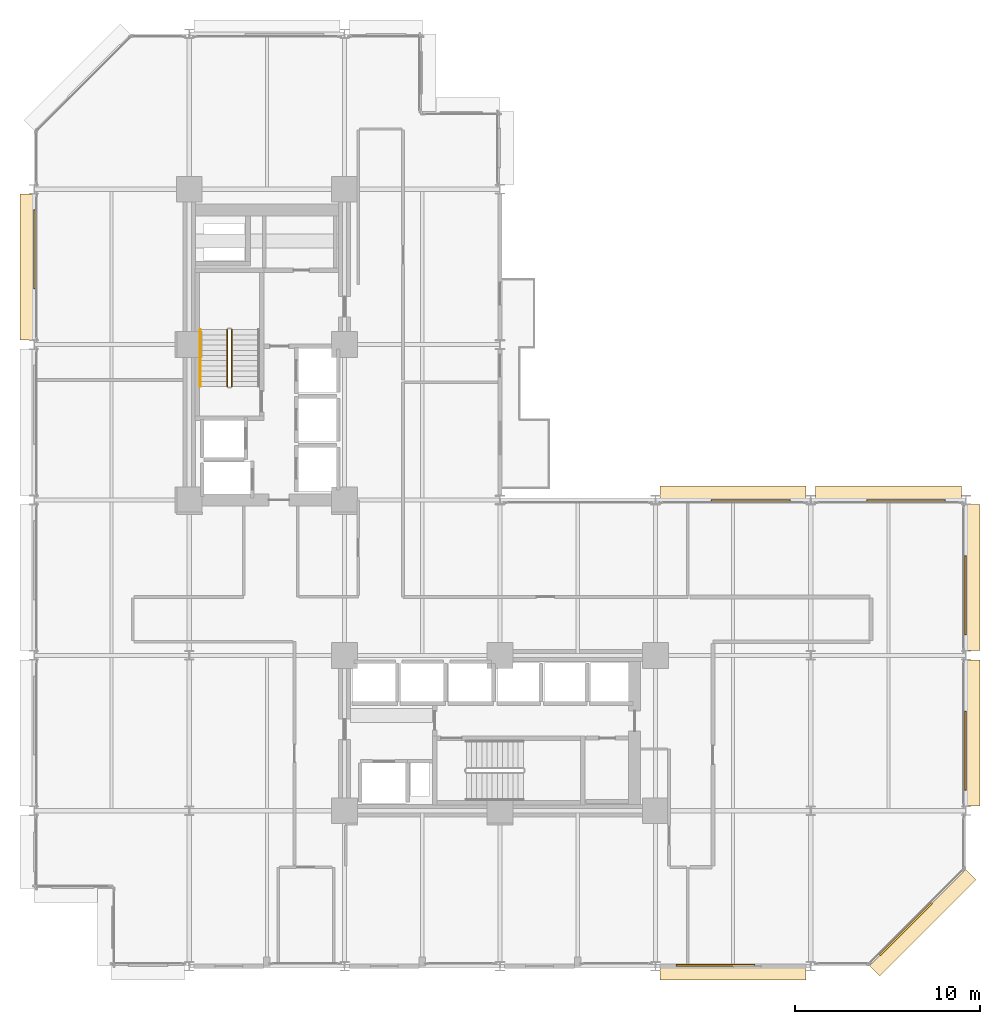
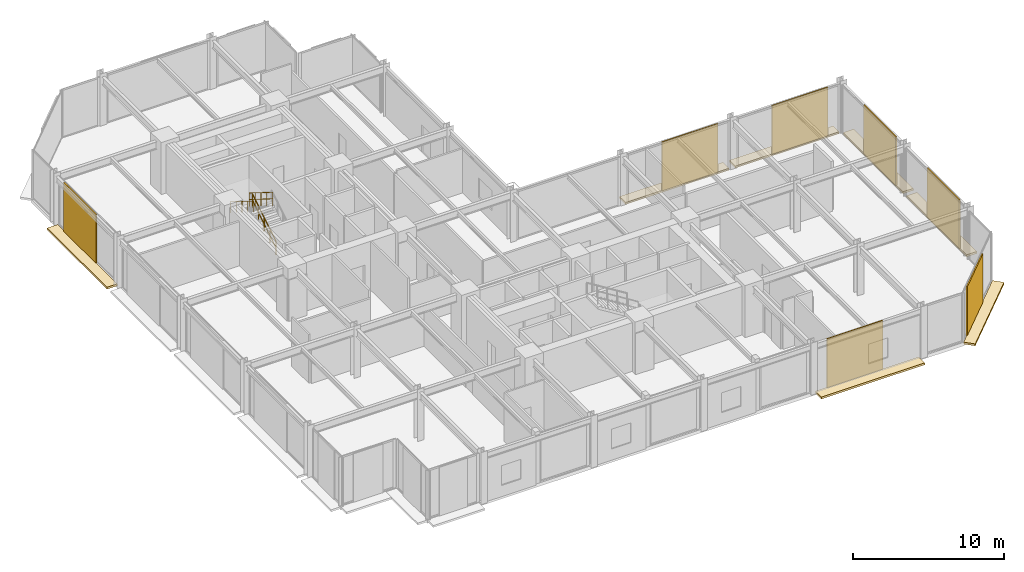
# One storey, part 24 of 25: 14 coverings, 3 railings.
"""IFC4 building model written with IfcOpenShell, lengths in metres."""

from ifc_helpers import new_model, si_unit, direction, frame, origin, origin_2d, place, context, subcontext, project, spatial, polyline, rectangle, circle, outline, extrude, material, layer, layer_set, type_object, element, save


model = new_model("IFC4")

# Units and contexts
model_context = context("Model", 3, precision=1e-05, world=origin(), true_north=direction((0.0, 1.0)))
body_context = subcontext(model_context, "Body", "Model", "MODEL_VIEW")
ifc_project = project(units=[si_unit("LENGTHUNIT", "METRE"), si_unit("AREAUNIT", "SQUARE_METRE"), si_unit("VOLUMEUNIT", "CUBIC_METRE"), si_unit("PLANEANGLEUNIT", "RADIAN"), si_unit("MASSUNIT", "GRAM", prefix="KILO")], contexts=[model_context])

# Site, building, storey
site_placement = place(None, origin())
site = spatial("IfcSite", under=ifc_project, at=site_placement, CompositionType="ELEMENT")
building_placement = place(site_placement, origin())
building = spatial("IfcBuilding", under=site, at=building_placement, Name="Nerrivon Quay Data Exchange", CompositionType="ELEMENT")
storey_placement = place(building_placement, frame((0.0, 0.0, 24.800048828125)))
storey = spatial("IfcBuildingStorey", under=building, at=storey_placement, Name="L05", CompositionType="ELEMENT", Elevation=24.800048828125)

# Coverings
ifc_material_1 = material(Name="Architectural terracotta ceramic", Category="masonry")
ifc_layer_1 = layer(ifc_material_1, 0.159912109375)
ifc_layer_set_1 = layer_set([ifc_layer_1], Name="Architectural terracotta ceramic")
covering_type_1 = type_object("IfcCoveringType", Name="COV-BLD-TERR", PredefinedType="CLADDING", material=ifc_layer_set_1)
covering_1_placement = place(storey_placement, frame((0.0, 0.0, -0.16015625)))
element("IfcCovering", 1, at=covering_1_placement, inside=storey, type_object=covering_type_1, Name="L05 Horizontal Terracotta SOLAR SCREEN Blade", PredefinedType="CLADDING", context=body_context, shape_type="SweptSolid", body=[
    extrude(outline(polyline([(50.37158203125, 5.228271484375), (45.171630859375, 0.0283203125), (45.730224609375, -0.5302734375), (50.930419921875, 4.669677734375), (50.37158203125, 5.228271484375)])), origin(), (0.0, 0.0, 1.0), 0.16015625),
])
covering_2_placement = place(storey_placement, frame((0.0, 0.0, -0.16015625)))
element("IfcCovering", 2, at=covering_2_placement, inside=storey, type_object=covering_type_1, Name="L05 Horizontal Terracotta SOLAR SCREEN Blade", PredefinedType="CLADDING", context=body_context, shape_type="SweptSolid", body=[
    extrude(outline(polyline([(41.75, 0.0400390625), (33.85009765625, 0.0400390625), (33.85009765625, -0.75), (41.75, -0.75), (41.75, 0.0400390625)])), origin(), (0.0, 0.0, 1.0), 0.16015625),
])
covering_3_placement = place(storey_placement, frame((0.0, 0.0, -0.16015625)))
element("IfcCovering", 3, at=covering_3_placement, inside=storey, type_object=covering_type_1, Name="L05 Horizontal Terracotta SOLAR SCREEN Blade", PredefinedType="CLADDING", context=body_context, shape_type="SweptSolid", body=[
    extrude(outline(polyline([(0.0400390625, 33.85009765625), (0.0400390625, 41.75), (-0.75, 41.75), (-0.75, 33.85009765625), (0.0400390625, 33.85009765625)])), origin(), (0.0, 0.0, 1.0), 0.16015625),
])
covering_4_placement = place(storey_placement, frame((0.0, 0.0, -0.16015625)))
element("IfcCovering", 4, at=covering_4_placement, inside=storey, type_object=covering_type_1, Name="L05 Horizontal Terracotta SOLAR SCREEN Blade", PredefinedType="CLADDING", context=body_context, shape_type="SweptSolid", body=[
    extrude(outline(polyline([(33.85009765625, 25.159912109375), (41.75, 25.159912109375), (41.75, 25.949951171875), (33.85009765625, 25.949951171875), (33.85009765625, 25.159912109375)])), origin(), (0.0, 0.0, 1.0), 0.16015625),
])
covering_5_placement = place(storey_placement, frame((0.0, 0.0, -0.16015625)))
element("IfcCovering", 5, at=covering_5_placement, inside=storey, type_object=covering_type_1, Name="L05 Horizontal Terracotta SOLAR SCREEN Blade", PredefinedType="CLADDING", context=body_context, shape_type="SweptSolid", body=[
    extrude(outline(polyline([(42.25, 25.159912109375), (50.14990234375, 25.159912109375), (50.14990234375, 25.949951171875), (42.25, 25.949951171875), (42.25, 25.159912109375)])), origin(), (0.0, 0.0, 1.0), 0.16015625),
])
covering_6_placement = place(storey_placement, frame((0.0, 0.0, -0.16015625)))
element("IfcCovering", 6, at=covering_6_placement, inside=storey, type_object=covering_type_1, Name="L05 Horizontal Terracotta SOLAR SCREEN Blade", PredefinedType="CLADDING", context=body_context, shape_type="SweptSolid", body=[
    extrude(outline(polyline([(50.360107421875, 24.949951171875), (50.360107421875, 17.050048828125), (51.14990234375, 17.050048828125), (51.14990234375, 24.949951171875), (50.360107421875, 24.949951171875)])), origin(), (0.0, 0.0, 1.0), 0.16015625),
])
covering_7_placement = place(storey_placement, frame((0.0, 0.0, -0.16015625)))
element("IfcCovering", 7, at=covering_7_placement, inside=storey, type_object=covering_type_1, Name="L05 Horizontal Terracotta SOLAR SCREEN Blade", PredefinedType="CLADDING", context=body_context, shape_type="SweptSolid", body=[
    extrude(outline(polyline([(50.360107421875, 16.550048828125), (50.360107421875, 8.64990234375), (51.14990234375, 8.64990234375), (51.14990234375, 16.550048828125), (50.360107421875, 16.550048828125)])), origin(), (0.0, 0.0, 1.0), 0.16015625),
])
ifc_layer_2 = layer(ifc_material_1, 0.090087890625)
ifc_layer_set_2 = layer_set([ifc_layer_2], Name="Architectural terracotta ceramic")
covering_type_2 = type_object("IfcCoveringType", Name="COV-SCR-TERR", PredefinedType="CLADDING", material=ifc_layer_set_2)
covering_8_placement = place(storey_placement, frame((47.144287109375, 2.0078125, 0.0), z_axis=(0.0, 0.0, 1.0), x_axis=(-0.707106781187, -0.707106781187, 0.0)))
element("IfcCovering", 8, at=covering_8_placement, inside=storey, type_object=covering_type_2, Name="L05 Perforated Terracotta SOLAR SCREEN Cassette", PredefinedType="CLADDING", context=body_context, shape_type="SweptSolid", body=[
    extrude(rectangle(XDim=3.970947265625, YDim=0.090087890625, at=origin_2d()), origin(), (0.0, 0.0, 1.0), 3.925048828125),
])
for number, where, z_axis, x_axis, name in (
    (9, (36.85205078125, 0.044921875, 0.0), (0.0, 0.0, 1.0), (-1.0, 0.0, 0.0), "L05 Perforated Terracotta SOLAR SCREEN Cassette"),
    (10, (0.044921875, 38.748046875, 0.0), (0.0, 0.0, 1.0), (0.0, 1.0, 0.0), "L05 Perforated Terracotta SOLAR SCREEN Cassette"),
    (11, (38.748046875, 25.155029296875, 0.0), (0.0, 0.0, 1.0), (1.0, 0.0, 0.0), "L05 Perforated Terracotta SOLAR SCREEN Cassette"),
    (12, (47.14794921875, 25.155029296875, 0.0), (0.0, 0.0, 1.0), (1.0, 0.0, 0.0), "L05 Perforated Terracotta SOLAR SCREEN Cassette"),
    (13, (50.35498046875, 20.052001953125, 0.0), (0.0, 0.0, 1.0), (0.0, -1.0, 0.0), "L05 Perforated Terracotta SOLAR SCREEN Cassette"),
    (14, (50.35498046875, 11.652099609375, 0.0), (0.0, 0.0, 1.0), (0.0, -1.0, 0.0), "L05 Perforated Terracotta SOLAR SCREEN Cassette"),
):
    element("IfcCovering", number, at=place(storey_placement, frame(where, z_axis=z_axis, x_axis=x_axis)), inside=storey, type_object=covering_type_2, Name=name, PredefinedType="CLADDING", context=body_context, shape_type="SweptSolid", body=[
        extrude(rectangle(XDim=4.26611328125, YDim=0.090087890625, at=origin_2d()), origin(), (0.0, 0.0, 1.0), 3.925048828125),
    ])

# Railings
ifc_material_2 = material(Name="Steel Grade C350L0 (350 MPa)", Category="steel")
railing_type_1 = type_object("IfcRailingType", Name="RAIL-HAND-HR1", PredefinedType="HANDRAIL", material=ifc_material_2)
railing_1_placement = place(storey_placement, frame((9.0, 34.409912109375, 2.27490234375)))
element("IfcRailing", 15, at=railing_1_placement, inside=storey, type_object=railing_type_1, Name="L05 ST01 stair handrail 2", PredefinedType="HANDRAIL", context=body_context, shape_type="SweptSolid", body=[
    extrude(circle(Radius=0.02392578125, at=origin_2d()), frame((0.0, 0.0, 0.8759765625), z_axis=(0.0, -0.847979421464, 0.530029150871), x_axis=(1.0, 0.0, 0.0)), (0.0, 0.0, 1.0), 3.632080078125),
    extrude(circle(Radius=0.02099609375, at=origin_2d()), origin(), (0.0, 0.0, 1.0), 0.851806640625),
    extrude(circle(Radius=0.02099609375, at=origin_2d()), frame((0.0, -0.77001953125, 0.481201171875)), (0.0, 0.0, 1.0), 0.851806640625),
    extrude(circle(Radius=0.02099609375, at=origin_2d()), frame((0.0, -1.5400390625, 0.96240234375)), (0.0, 0.0, 1.0), 0.851806640625),
    extrude(circle(Radius=0.02099609375, at=origin_2d()), frame((0.0, -2.309814453125, 1.44384765625)), (0.0, 0.0, 1.0), 0.851806640625),
    extrude(circle(Radius=0.02099609375, at=origin_2d()), frame((0.0, -3.079833984375, 1.925048828125)), (0.0, 0.0, 1.0), 0.851806640625),
])
railing_type_2 = type_object("IfcRailingType", Name="RAIL-STAIR-GR1", PredefinedType="BALUSTRADE", material=ifc_material_2)
railing_2_placement = place(storey_placement, frame((10.699951171875, 31.330078125, 0.175048828125)))
element("IfcRailing", 16, at=railing_2_placement, inside=storey, type_object=railing_type_2, Name="L05 ST01 stair guard 1", PredefinedType="BALUSTRADE", context=body_context, shape_type="SweptSolid", body=[
    extrude(circle(Radius=0.02392578125, at=origin_2d()), frame((0.0, 0.0, 1.076171875), z_axis=(0.0, 0.848009633417, 0.529980812513), x_axis=(-1.0, 0.0, 0.0)), (0.0, 0.0, 1.0), 3.6318359375),
    extrude(circle(Radius=0.02392578125, at=origin_2d()), frame((0.0, 0.0, 0.550048828125), z_axis=(0.0, 0.848009633417, 0.529980812513), x_axis=(-1.0, 0.0, 0.0)), (0.0, 0.0, 1.0), 3.6318359375),
    extrude(circle(Radius=0.02099609375, at=origin_2d()), origin(), (0.0, 0.0, 1.0), 1.052001953125),
    extrude(circle(Radius=0.02099609375, at=origin_2d()), frame((0.0, 0.77001953125, 0.481201171875)), (0.0, 0.0, 1.0), 1.052001953125),
    extrude(circle(Radius=0.02099609375, at=origin_2d()), frame((0.0, 1.5400390625, 0.96240234375)), (0.0, 0.0, 1.0), 1.052001953125),
    extrude(circle(Radius=0.02099609375, at=origin_2d()), frame((0.0, 2.309814453125, 1.443603515625)), (0.0, 0.0, 1.0), 1.052001953125),
    extrude(circle(Radius=0.02099609375, at=origin_2d()), frame((0.0, 3.079833984375, 1.9248046875)), (0.0, 0.0, 1.0), 1.052001953125),
])
railing_3_placement = place(storey_placement, frame((10.449951171875, 34.409912109375, 2.27490234375)))
element("IfcRailing", 17, at=railing_3_placement, inside=storey, type_object=railing_type_2, Name="L05 ST01 stair guard 3", PredefinedType="BALUSTRADE", context=body_context, shape_type="SweptSolid", body=[
    extrude(circle(Radius=0.02392578125, at=origin_2d()), frame((0.0, 0.0, 1.076171875), z_axis=(0.0, -0.847979421464, 0.530029150871), x_axis=(1.0, 0.0, 0.0)), (0.0, 0.0, 1.0), 3.632080078125),
    extrude(circle(Radius=0.02392578125, at=origin_2d()), frame((0.0, 0.0, 0.550048828125), z_axis=(0.0, -0.847979421464, 0.530029150871), x_axis=(1.0, 0.0, 0.0)), (0.0, 0.0, 1.0), 3.632080078125),
    extrude(circle(Radius=0.02099609375, at=origin_2d()), origin(), (0.0, 0.0, 1.0), 1.052001953125),
    extrude(circle(Radius=0.02099609375, at=origin_2d()), frame((0.0, -0.77001953125, 0.481201171875)), (0.0, 0.0, 1.0), 1.052001953125),
    extrude(circle(Radius=0.02099609375, at=origin_2d()), frame((0.0, -1.5400390625, 0.96240234375)), (0.0, 0.0, 1.0), 1.052001953125),
    extrude(circle(Radius=0.02099609375, at=origin_2d()), frame((0.0, -2.309814453125, 1.44384765625)), (0.0, 0.0, 1.0), 1.052001953125),
    extrude(circle(Radius=0.02099609375, at=origin_2d()), frame((0.0, -3.079833984375, 1.925048828125)), (0.0, 0.0, 1.0), 1.052001953125),
])

save(model, "model.ifc")
